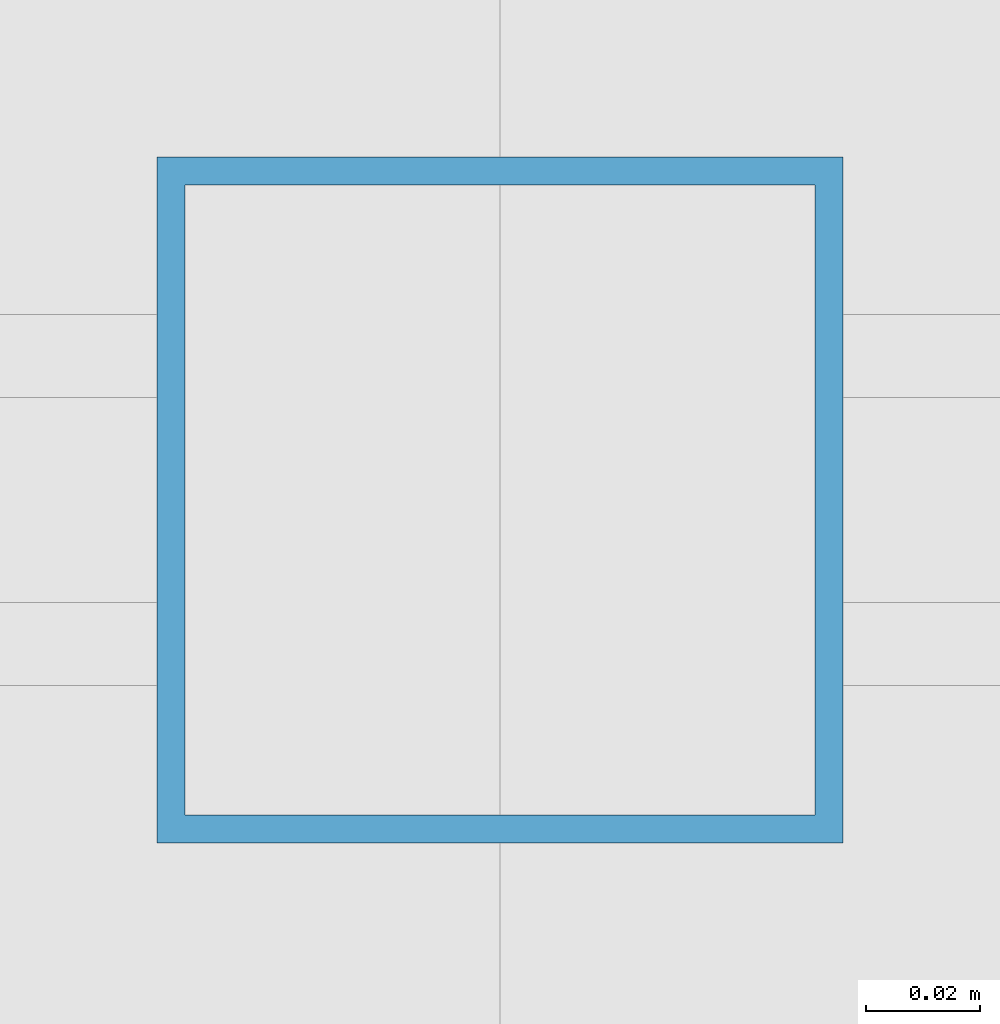
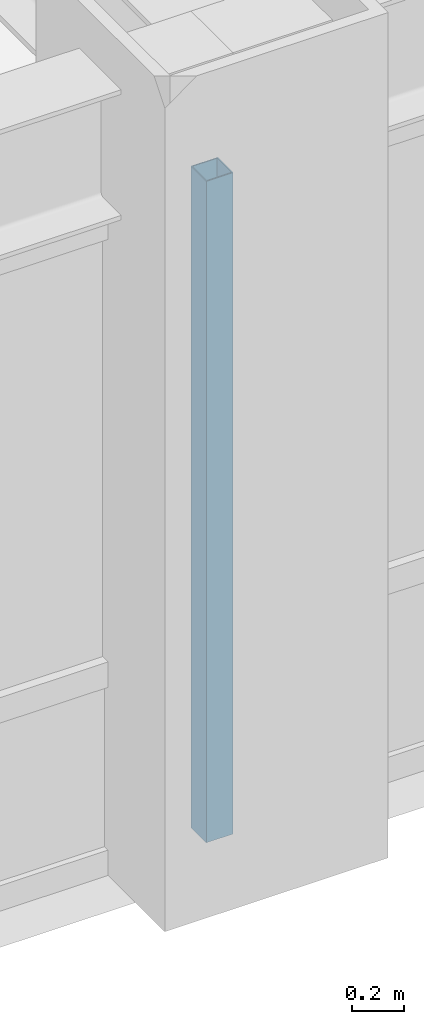
# One storey, part 4 of 25: 1 member, 1 element without a shape of its own.
"""IFC4 building model written with IfcOpenShell, lengths in metres."""

import ifcopenshell
import ifcopenshell.guid

model = None  # the IFC model being written
_history = None  # IfcOwnerHistory: only IFC2X3 demands one
_inside = {}  # id of a spatial element -> (the spatial element, [elements in it])
_under = {}  # id of a project, library or spatial element -> (it, [spatial elements below it])
_declared = {}  # id of a project -> (the project, [libraries it declares])
_typed = {}  # id of a type object -> (the type object, [elements of that type])
_made_of = {}  # id of a material, layer set ... -> (it, [elements and type objects made of it])


def new_model(schema):
    """Start an empty IFC model of exactly this schema.

    Asked for "IFC4X3", IfcOpenShell would pick the latest addendum, in which some entities
    have other attributes; the version numbers below select the first issue.
    IFC2X3 requires an IfcOwnerHistory on every rooted entity: one is made here for all.
    """
    global model, _history
    if schema == "IFC4X3":
        model = ifcopenshell.file(schema_version=(4, 3, 0, 0))
    else:
        model = ifcopenshell.file(schema=schema)
    _inside.clear()
    _under.clear()
    _declared.clear()
    _typed.clear()
    _made_of.clear()
    _history = None
    if model.schema == "IFC2X3":
        org = make("IfcOrganization", Name="unknown")
        user = make(
            "IfcPersonAndOrganization",
            ThePerson=make("IfcPerson", FamilyName="unknown"),
            TheOrganization=org,
        )
        app = make(
            "IfcApplication",
            ApplicationDeveloper=org,
            Version="unknown",
            ApplicationFullName="unknown",
            ApplicationIdentifier="unknown",
        )
        _history = make(
            "IfcOwnerHistory",
            OwningUser=user,
            OwningApplication=app,
            ChangeAction="ADDED",
            CreationDate=0,
        )
    return model


def make(cls, **values):
    """One entity of the class cls with the attributes given. An attribute that is None is left unset."""
    return model.create_entity(
        cls, **{name: value for name, value in values.items() if value is not None}
    )


def rooted(cls, **values):
    """An entity with a GlobalId (a new one), such as an element, a storey or a relation."""
    return make(cls, GlobalId=ifcopenshell.guid.new(), OwnerHistory=_history, **values)


def si_unit(unit_type, name, prefix=None):
    """IfcSIUnit, for example si_unit("LENGTHUNIT", "METRE", prefix="MILLI")."""
    return make("IfcSIUnit", UnitType=unit_type, Prefix=prefix, Name=name)


def assignment(units):
    """IfcUnitAssignment: the units of a project."""
    return None if units is None else make("IfcUnitAssignment", Units=units)


def point(xyz):
    """IfcCartesianPoint."""
    return None if xyz is None else make("IfcCartesianPoint", Coordinates=xyz)


def direction(xyz):
    """IfcDirection."""
    return None if xyz is None else make("IfcDirection", DirectionRatios=xyz)


def frame(location, z_axis=None, x_axis=None):
    """IfcAxis2Placement3D, a coordinate frame: its origin and axes. An axis left out is left unset."""
    return make(
        "IfcAxis2Placement3D",
        Location=point(location),
        Axis=direction(z_axis),
        RefDirection=direction(x_axis),
    )


def frame_2d(location, x_axis=None):
    """IfcAxis2Placement2D, a coordinate frame in the plane: its origin and x axis."""
    return make(
        "IfcAxis2Placement2D", Location=point(location), RefDirection=direction(x_axis)
    )


def origin():
    """The frame at (0, 0, 0) with its axes left unset."""
    return frame((0.0, 0.0, 0.0))


def origin_2d():
    """The frame at (0, 0) in the plane with its x axis left unset."""
    return frame_2d((0.0, 0.0))


def place(relative_to, where):
    """IfcLocalPlacement: puts the frame where relative to a parent placement (None: the world)."""
    return make(
        "IfcLocalPlacement", PlacementRelTo=relative_to, RelativePlacement=where
    )


def context(
    kind, dimensions, precision=None, world=None, true_north=None, identifier=None
):
    """IfcGeometricRepresentationContext, for example the 3D "Model" context."""
    return make(
        "IfcGeometricRepresentationContext",
        ContextIdentifier=identifier,
        ContextType=kind,
        CoordinateSpaceDimension=dimensions,
        Precision=precision,
        WorldCoordinateSystem=world,
        TrueNorth=true_north,
    )


def subcontext(parent, identifier, kind, view, scale=None):
    """IfcGeometricRepresentationSubContext, for example "Body" below "Model"."""
    return make(
        "IfcGeometricRepresentationSubContext",
        ContextIdentifier=identifier,
        ContextType=kind,
        ParentContext=parent,
        TargetScale=scale,
        TargetView=view,
    )


def project(units=None, contexts=None):
    """IfcProject with its units and contexts."""
    return rooted(
        "IfcProject",
        Name="project",
        RepresentationContexts=contexts,
        UnitsInContext=assignment(units),
    )


def spatial(cls, under=None, at=None, **own):
    """A site, building, storey or space (cls), placed at a placement, below another one or the project."""
    s = rooted(cls, ObjectPlacement=at, **own)
    if under is not None:
        _under.setdefault(under.id(), (under, []))[1].append(s)
    return s


def profile(cls, at=None, kind="AREA", **sizes):
    """A parametric profile (cls). Its sizes go by their IFC names, for example OverallWidth=200.0."""
    return make(cls, ProfileType=kind, Position=at, **sizes)


def hollow_rectangle(**sizes):
    """IfcRectangleHollowProfileDef."""
    return profile("IfcRectangleHollowProfileDef", **sizes)


def extrude(swept, where, along, depth):
    """IfcExtrudedAreaSolid: the profile swept, set in the frame where, extruded along a direction by depth."""
    return make(
        "IfcExtrudedAreaSolid",
        SweptArea=swept,
        Position=where,
        ExtrudedDirection=direction(along),
        Depth=depth,
    )


def shape(context_of_items, identifier, shape_type, items):
    """IfcShapeRepresentation: the items that make up one representation, for example the "Body"."""
    return make(
        "IfcShapeRepresentation",
        ContextOfItems=context_of_items,
        RepresentationIdentifier=identifier,
        RepresentationType=shape_type,
        Items=items,
    )


def source(mapping_origin, context_of_items, identifier, shape_type, items):
    """IfcRepresentationMap: a shape defined once, which mapped items show again and again."""
    return make(
        "IfcRepresentationMap",
        MappingOrigin=mapping_origin,
        MappedRepresentation=shape(context_of_items, identifier, shape_type, items),
    )


def transform(
    local_origin,
    x_axis=None,
    y_axis=None,
    z_axis=None,
    scale=None,
    scale2=None,
    scale3=None,
    uniform=True,
):
    """IfcCartesianTransformationOperator3D, or its non-uniform kind. x_axis, y_axis, z_axis: its Axis1, 2, 3."""
    if uniform:
        return make(
            "IfcCartesianTransformationOperator3D",
            Axis1=direction(x_axis),
            Axis2=direction(y_axis),
            LocalOrigin=point(local_origin),
            Scale=scale,
            Axis3=direction(z_axis),
        )
    return make(
        "IfcCartesianTransformationOperator3DnonUniform",
        Axis1=direction(x_axis),
        Axis2=direction(y_axis),
        LocalOrigin=point(local_origin),
        Scale=scale,
        Axis3=direction(z_axis),
        Scale2=scale2,
        Scale3=scale3,
    )


def mapped(mapping_source, mapping_target):
    """IfcMappedItem: shows the shape of a source again, moved by a transform."""
    return make(
        "IfcMappedItem", MappingSource=mapping_source, MappingTarget=mapping_target
    )


def material(Name=None, Category=None):
    """IfcMaterial."""
    return make("IfcMaterial", Name=Name, Category=Category)


def material_profile(
    of_material, cross_section, Name=None, Category=None, Priority=None
):
    """IfcMaterialProfile: a cross section and its material."""
    return make(
        "IfcMaterialProfile",
        Name=Name,
        Material=of_material,
        Profile=cross_section,
        Priority=Priority,
        Category=Category,
    )


def profile_set(profiles, Name=None, composite=None):
    """IfcMaterialProfileSet."""
    return make(
        "IfcMaterialProfileSet",
        Name=Name,
        MaterialProfiles=profiles,
        CompositeProfile=composite,
    )


def made_of(thing, what):
    """Note that an element or type object is made of a material, layer set ...; save() writes the relation."""
    if what is not None:
        _made_of.setdefault(what.id(), (what, []))[1].append(thing)
    return thing


def type_object(cls, material=None, **own):
    """A type object (cls), such as IfcWallType, which elements share."""
    return made_of(rooted(cls, **own), material)


def element(
    cls,
    number,
    at=None,
    inside=None,
    cuts=None,
    type_object=None,
    material=None,
    context=None,
    identifier="Body",
    shape_type=None,
    held_by="IfcProductDefinitionShape",
    body=None,
    shapes=None,
    **own,
):
    """One element of the class cls, such as IfcWall. Its Tag is "e" and its number.

    at: its placement. inside: the storey or other place that contains it. cuts: it is an
    opening in that element (IfcRelVoidsElement). A single representation is given by context,
    identifier, shape_type and body (its items); several are given by shapes. held_by: the class
    of the entity that holds the representations. save() writes the other relations.
    """
    e = rooted(cls, Tag="e%d" % number, ObjectPlacement=at, **own)
    if body is not None:
        shapes = [shape(context, identifier, shape_type, body)]
    if shapes is not None:
        e.Representation = make(held_by, Representations=shapes)
    if inside is not None:
        _inside.setdefault(inside.id(), (inside, []))[1].append(e)
    if cuts is not None:
        rooted(
            "IfcRelVoidsElement", RelatingBuildingElement=cuts, RelatedOpeningElement=e
        )
    if type_object is not None:
        _typed.setdefault(type_object.id(), (type_object, []))[1].append(e)
    return made_of(e, material)


def aggregate(whole, parts):
    """IfcRelAggregates: a whole, such as a stair, and the parts it consists of."""
    return rooted("IfcRelAggregates", RelatingObject=whole, RelatedObjects=parts)


def save(model, path):
    """Write the relations noted so far, then the file.

    IfcRelAggregates (storeys below a building ...), IfcRelContainedInSpatialStructure (elements
    in a storey), IfcRelDefinesByType, IfcRelAssociatesMaterial and IfcRelDeclares: one each for
    every whole, place, type object, material and project.
    """
    for whole, parts in _under.values():
        aggregate(whole, parts)
    for where, things in _inside.values():
        rooted(
            "IfcRelContainedInSpatialStructure",
            RelatedElements=things,
            RelatingStructure=where,
        )
    for kind, things in _typed.values():
        rooted("IfcRelDefinesByType", RelatedObjects=things, RelatingType=kind)
    for what, things in _made_of.values():
        rooted("IfcRelAssociatesMaterial", RelatedObjects=things, RelatingMaterial=what)
    for by, libraries in _declared.values():
        rooted("IfcRelDeclares", RelatingContext=by, RelatedDefinitions=libraries)
    model.write(path)


model = new_model("IFC4")

# Units and contexts
model_context = context("Model", 3, precision=1e-05, world=origin(), true_north=direction((0.0, 1.0)))
body_context = subcontext(model_context, "Body", "Model", "MODEL_VIEW")
ifc_project = project(units=[si_unit("LENGTHUNIT", "METRE"), si_unit("AREAUNIT", "SQUARE_METRE"), si_unit("VOLUMEUNIT", "CUBIC_METRE"), si_unit("PLANEANGLEUNIT", "RADIAN"), si_unit("MASSUNIT", "GRAM", prefix="KILO")], contexts=[model_context])

# Site, building, storey
site_placement = place(None, origin())
site = spatial("IfcSite", under=ifc_project, at=site_placement, CompositionType="ELEMENT")
building_placement = place(site_placement, origin())
building = spatial("IfcBuilding", under=site, at=building_placement, Name="Khorayat Bourse Tower", CompositionType="ELEMENT")
storey_placement = place(building_placement, frame((0.0, 0.0, 223.10009765625)))
storey = spatial("IfcBuildingStorey", under=building, at=storey_placement, Name="L52", CompositionType="ELEMENT", Elevation=223.10009765625)

# Curtain wall, member
ifc_material = material(Name="Aluminium EN AW-6063 T6", Category="aluminium")
curtain_wall_type = type_object("IfcCurtainWallType", Name="CW-SYS-03", PredefinedType="NOTDEFINED", material=ifc_material)
curtain_wall_placement = place(storey_placement, origin())
curtain_wall = element("IfcCurtainWall", 1, at=curtain_wall_placement, inside=storey, type_object=curtain_wall_type, Name="L52 Curtain Wall CW-L52-S1", PredefinedType="NOTDEFINED")
ifc_material_profile = material_profile(ifc_material, hollow_rectangle(XDim=0.1201171875, YDim=0.1201171875, WallThickness=0.0048828125, at=origin_2d()), Name="ALU 120x120x5")
ifc_profile_set = profile_set([ifc_material_profile], Name="Aluminium EN AW-6063 T6")
member_type = type_object("IfcMemberType", Name="CWM-VERT-120", PredefinedType="MULLION", material=ifc_profile_set)
shared_shape = source(origin(), body_context, "Body", "SweptSolid", [
    extrude(hollow_rectangle(XDim=0.1201171875, YDim=0.1201171875, WallThickness=0.0048828125, at=origin_2d()), origin(), (0.0, 0.0, 1.0), 3.1298828125),
])
member_placement = place(storey_placement, frame((0.0, -30.0, 0.0), z_axis=(0.0, 0.0, 1.0), x_axis=(0.0, 1.0, 0.0)))
member = element("IfcMember", 2, at=member_placement, type_object=member_type, Name="CW-L52-S1 Vertical Mullion 2", PredefinedType="MULLION", context=body_context, shape_type="MappedRepresentation", body=[
    mapped(shared_shape, transform((0.0, 0.0, 0.0), scale=1.0)),
])
aggregate(curtain_wall, [member])

save(model, "model.ifc")
